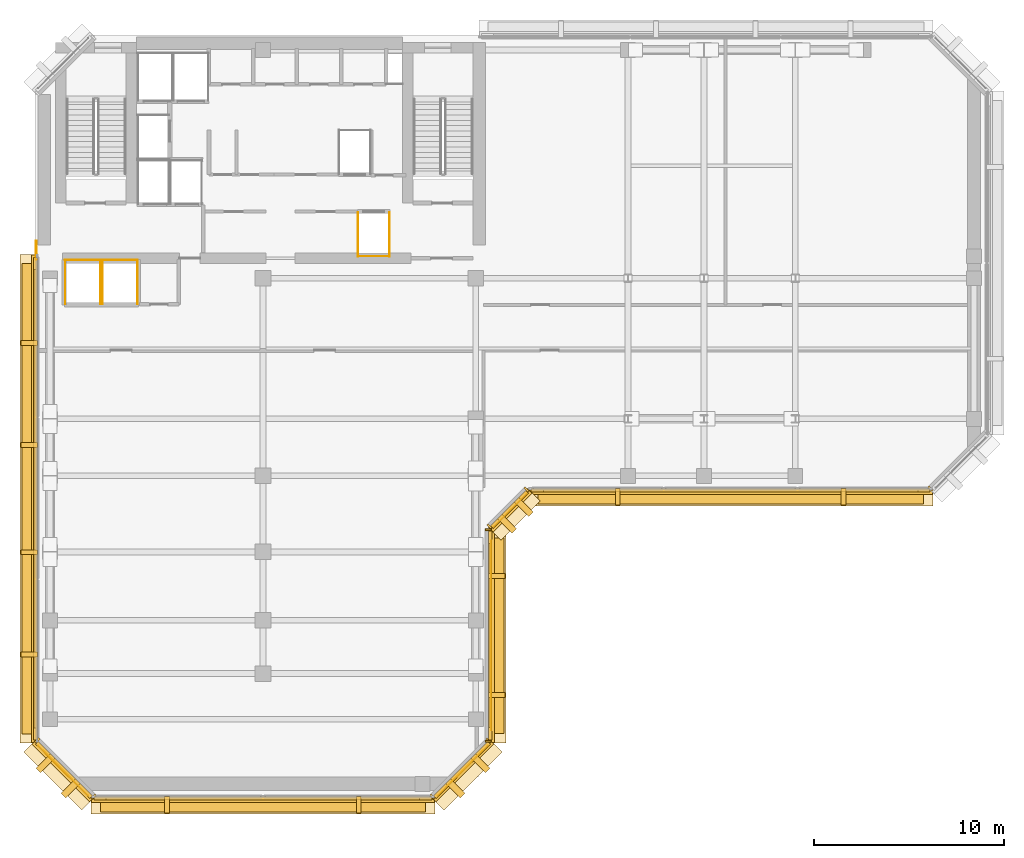
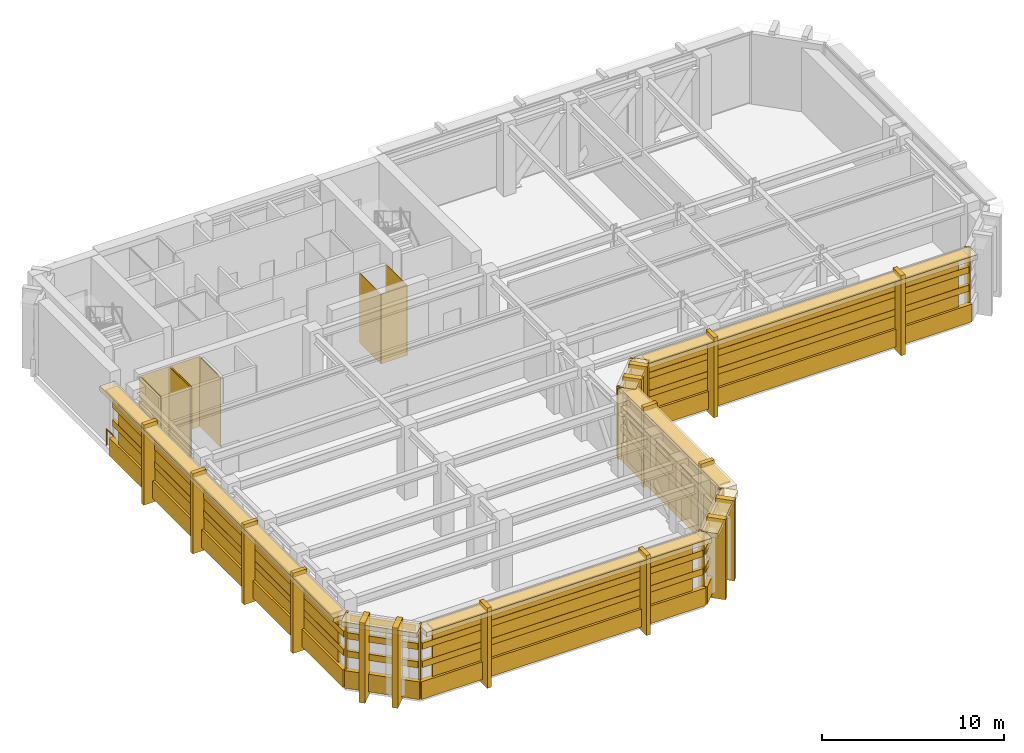
# One storey, part 8 of 11: 66 coverings, 8 shading devices, 1 railing.
"""IFC4 building model written with IfcOpenShell, lengths in metres."""

from ifc_helpers import new_model, si_unit, direction, frame, origin, origin_2d, place, context, subcontext, project, spatial, polyline, rectangle, circle, outline, extrude, material, layer, layer_set, type_object, element, save


model = new_model("IFC4")

# Units and contexts
model_context = context("Model", 3, precision=1e-05, world=origin(), true_north=direction((0.0, 1.0)))
body_context = subcontext(model_context, "Body", "Model", "MODEL_VIEW")
ifc_project = project(units=[si_unit("LENGTHUNIT", "METRE"), si_unit("AREAUNIT", "SQUARE_METRE"), si_unit("VOLUMEUNIT", "CUBIC_METRE"), si_unit("PLANEANGLEUNIT", "RADIAN"), si_unit("MASSUNIT", "GRAM", prefix="KILO")], contexts=[model_context])

# Site, building, storey
site_placement = place(None, origin())
site = spatial("IfcSite", under=ifc_project, at=site_placement, CompositionType="ELEMENT")
building_placement = place(site_placement, origin())
building = spatial("IfcBuilding", under=site, at=building_placement, Name="Kefirva Bronze Tower", CompositionType="ELEMENT")
storey_placement = place(building_placement, frame((0.0, 0.0, 251.4599609375)))
storey = spatial("IfcBuildingStorey", under=building, at=storey_placement, Name="L61", CompositionType="ELEMENT", Elevation=251.4599609375)

# Coverings
ifc_material_1 = material(Name="Bronze anodised aluminium", Category="aluminium")
ifc_layer_1 = layer(ifc_material_1, 0.02001953125, Name="Bronze anodised aluminium")
ifc_layer_set_1 = layer_set([ifc_layer_1], Name="Bronze anodised aluminium")
covering_type_1 = type_object("IfcCoveringType", Name="Anodised Bronze Spandrel Cladding 20mm", PredefinedType="CLADDING", material=ifc_layer_set_1)
covering_1_placement = place(storey_placement, frame((12.0, 5.760009765625, -0.16015625), z_axis=(0.0, 0.0, 1.0), x_axis=(1.0, 0.0, 0.0)))
element("IfcCovering", 1, at=covering_1_placement, inside=storey, type_object=covering_type_1, Name="L61 Streamline Horizontal Spandrel Band 0", PredefinedType="CLADDING", context=body_context, shape_type="SweptSolid", body=[
    extrude(rectangle(XDim=18.0400390625, YDim=0.280029296875, at=origin_2d()), origin(), (0.0, 0.0, 1.0), 1.179931640625),
])
for number, where, z_axis, x_axis, name in (
    (2, (12.0, 5.840087890625, 1.858154296875), (0.0, 0.0, 1.0), (1.0, 0.0, 0.0), "L61 Recessed Zone-Break Bronze Louvre Band 0-1"),
    (3, (12.0, 5.840087890625, 3.080078125), (0.0, 0.0, 1.0), (1.0, 0.0, 0.0), "L61 Recessed Zone-Break Bronze Louvre Band 0-2"),
):
    element("IfcCovering", number, at=place(storey_placement, frame(where, z_axis=z_axis, x_axis=x_axis)), inside=storey, type_object=covering_type_1, Name=name, PredefinedType="CLADDING", context=body_context, shape_type="SweptSolid", body=[
        extrude(rectangle(XDim=17.800048828125, YDim=0.199951171875, at=origin_2d()), origin(), (0.0, 0.0, 1.0), 0.419921875),
    ])
covering_2_placement = place(storey_placement, frame((22.507080078125, 7.29296875, 4.280029296875), z_axis=(0.0, 0.0, 1.0), x_axis=(0.707106781187, 0.707106781187, 0.0)))
element("IfcCovering", 4, at=covering_2_placement, inside=storey, type_object=covering_type_1, Name="L61 Bronze Spandrel Cladding 1", PredefinedType="CLADDING", context=body_context, shape_type="SweptSolid", body=[
    extrude(rectangle(XDim=3.719482421875, YDim=0.02001953125, at=origin_2d()), origin(), (0.0, 0.0, 1.0), 0.39990234375),
])
for number, where, z_axis, x_axis, name in (
    (5, (20.91162109375, 5.93798828125, 0.0), (0.0, 0.0, 1.0), (0.707106781187, 0.707106781187, 0.0), "L61 Facade Joint Closure Panel 1S"),
    (6, (23.862060546875, 8.88818359375, 0.0), (0.0, 0.0, 1.0), (0.707106781187, 0.707106781187, 0.0), "L61 Facade Joint Closure Panel 1E"),
):
    element("IfcCovering", number, at=place(storey_placement, frame(where, z_axis=z_axis, x_axis=x_axis)), inside=storey, type_object=covering_type_1, Name=name, PredefinedType="CLADDING", context=body_context, shape_type="SweptSolid", body=[
        extrude(rectangle(XDim=0.10009765625, YDim=0.320068359375, at=origin_2d()), origin(), (0.0, 0.0, 1.0), 4.699951171875),
    ])
covering_3_placement = place(storey_placement, frame((22.5283203125, 7.271728515625, -0.16015625), z_axis=(0.0, 0.0, 1.0), x_axis=(0.707106781187, 0.707106781187, 0.0)))
element("IfcCovering", 7, at=covering_3_placement, inside=storey, type_object=covering_type_1, Name="L61 Streamline Horizontal Spandrel Band 1", PredefinedType="CLADDING", context=body_context, shape_type="SweptSolid", body=[
    extrude(rectangle(XDim=4.28271484375, YDim=0.280029296875, at=origin_2d()), origin(), (0.0, 0.0, 1.0), 1.179931640625),
])
for number, where, z_axis, x_axis, name in (
    (8, (22.4716796875, 7.328369140625, 1.858154296875), (0.0, 0.0, 1.0), (0.707106781187, 0.707106781187, 0.0), "L61 Recessed Zone-Break Bronze Louvre Band 1-1"),
    (9, (22.4716796875, 7.328369140625, 3.080078125), (0.0, 0.0, 1.0), (0.707106781187, 0.707106781187, 0.0), "L61 Recessed Zone-Break Bronze Louvre Band 1-2"),
):
    element("IfcCovering", number, at=place(storey_placement, frame(where, z_axis=z_axis, x_axis=x_axis)), inside=storey, type_object=covering_type_1, Name=name, PredefinedType="CLADDING", context=body_context, shape_type="SweptSolid", body=[
        extrude(rectangle(XDim=4.04248046875, YDim=0.199951171875, at=origin_2d()), origin(), (0.0, 0.0, 1.0), 0.419921875),
    ])
covering_4_placement = place(storey_placement, frame((24.010009765625, 14.39990234375, 4.280029296875), z_axis=(0.0, 0.0, 1.0), x_axis=(0.0, 1.0, 0.0)))
element("IfcCovering", 10, at=covering_4_placement, inside=storey, type_object=covering_type_1, Name="L61 Bronze Spandrel Cladding 2", PredefinedType="CLADDING", context=body_context, shape_type="SweptSolid", body=[
    extrude(rectangle(XDim=9.98095703125, YDim=0.02001953125, at=origin_2d()), origin(), (0.0, 0.0, 1.0), 0.39990234375),
])
for number, where, z_axis, x_axis, name in (
    (11, (23.840087890625, 8.8349609375, 0.0), (0.0, 0.0, 1.0), (0.0, 1.0, 0.0), "L61 Facade Joint Closure Panel 2S"),
    (12, (23.840087890625, 19.965087890625, 0.0), (0.0, 0.0, 1.0), (0.0, 1.0, 0.0), "L61 Facade Joint Closure Panel 2E"),
):
    element("IfcCovering", number, at=place(storey_placement, frame(where, z_axis=z_axis, x_axis=x_axis)), inside=storey, type_object=covering_type_1, Name=name, PredefinedType="CLADDING", context=body_context, shape_type="SweptSolid", body=[
        extrude(rectangle(XDim=0.10009765625, YDim=0.320068359375, at=origin_2d()), origin(), (0.0, 0.0, 1.0), 4.699951171875),
    ])
covering_5_placement = place(storey_placement, frame((24.0400390625, 14.39990234375, -0.16015625), z_axis=(0.0, 0.0, 1.0), x_axis=(0.0, 1.0, 0.0)))
element("IfcCovering", 13, at=covering_5_placement, inside=storey, type_object=covering_type_1, Name="L61 Streamline Horizontal Spandrel Band 2", PredefinedType="CLADDING", context=body_context, shape_type="SweptSolid", body=[
    extrude(rectangle(XDim=11.239990234375, YDim=0.280029296875, at=origin_2d()), origin(), (0.0, 0.0, 1.0), 1.179931640625),
])
for number, where, z_axis, x_axis, name in (
    (14, (23.9599609375, 14.39990234375, 1.858154296875), (0.0, 0.0, 1.0), (0.0, 1.0, 0.0), "L61 Recessed Zone-Break Bronze Louvre Band 2-1"),
    (15, (23.9599609375, 14.39990234375, 3.080078125), (0.0, 0.0, 1.0), (0.0, 1.0, 0.0), "L61 Recessed Zone-Break Bronze Louvre Band 2-2"),
):
    element("IfcCovering", number, at=place(storey_placement, frame(where, z_axis=z_axis, x_axis=x_axis)), inside=storey, type_object=covering_type_1, Name=name, PredefinedType="CLADDING", context=body_context, shape_type="SweptSolid", body=[
        extrude(rectangle(XDim=11.0, YDim=0.199951171875, at=origin_2d()), origin(), (0.0, 0.0, 1.0), 0.419921875),
    ])
covering_6_placement = place(storey_placement, frame((25.007080078125, 20.992919921875, 4.280029296875), z_axis=(0.0, 0.0, 1.0), x_axis=(0.707106781187, 0.707106781187, 0.0)))
element("IfcCovering", 16, at=covering_6_placement, inside=storey, type_object=covering_type_1, Name="L61 Bronze Spandrel Cladding 3", PredefinedType="CLADDING", context=body_context, shape_type="SweptSolid", body=[
    extrude(rectangle(XDim=2.446533203125, YDim=0.02001953125, at=origin_2d()), origin(), (0.0, 0.0, 1.0), 0.39990234375),
])
for number, where, z_axis, x_axis, name in (
    (17, (23.91162109375, 20.137939453125, 0.0), (0.0, 0.0, 1.0), (0.707106781187, 0.707106781187, 0.0), "L61 Facade Joint Closure Panel 3S"),
    (18, (25.862060546875, 22.08837890625, 0.0), (0.0, 0.0, 1.0), (0.707106781187, 0.707106781187, 0.0), "L61 Facade Joint Closure Panel 3E"),
):
    element("IfcCovering", number, at=place(storey_placement, frame(where, z_axis=z_axis, x_axis=x_axis)), inside=storey, type_object=covering_type_1, Name=name, PredefinedType="CLADDING", context=body_context, shape_type="SweptSolid", body=[
        extrude(rectangle(XDim=0.10009765625, YDim=0.320068359375, at=origin_2d()), origin(), (0.0, 0.0, 1.0), 4.699951171875),
    ])
covering_7_placement = place(storey_placement, frame((25.0283203125, 20.9716796875, -0.16015625), z_axis=(0.0, 0.0, 1.0), x_axis=(0.707106781187, 0.707106781187, 0.0)))
element("IfcCovering", 19, at=covering_7_placement, inside=storey, type_object=covering_type_1, Name="L61 Streamline Horizontal Spandrel Band 3", PredefinedType="CLADDING", context=body_context, shape_type="SweptSolid", body=[
    extrude(rectangle(XDim=2.868408203125, YDim=0.280029296875, at=origin_2d()), origin(), (0.0, 0.0, 1.0), 1.179931640625),
])
for number, where, z_axis, x_axis, name in (
    (20, (24.9716796875, 21.0283203125, 1.858154296875), (0.0, 0.0, 1.0), (0.707106781187, 0.707106781187, 0.0), "L61 Recessed Zone-Break Bronze Louvre Band 3-1"),
    (21, (24.9716796875, 21.0283203125, 3.080078125), (0.0, 0.0, 1.0), (0.707106781187, 0.707106781187, 0.0), "L61 Recessed Zone-Break Bronze Louvre Band 3-2"),
):
    element("IfcCovering", number, at=place(storey_placement, frame(where, z_axis=z_axis, x_axis=x_axis)), inside=storey, type_object=covering_type_1, Name=name, PredefinedType="CLADDING", context=body_context, shape_type="SweptSolid", body=[
        extrude(rectangle(XDim=2.62841796875, YDim=0.199951171875, at=origin_2d()), origin(), (0.0, 0.0, 1.0), 0.419921875),
    ])
covering_8_placement = place(storey_placement, frame((36.60009765625, 21.9599609375, -0.16015625), z_axis=(0.0, 0.0, 1.0), x_axis=(1.0, 0.0, 0.0)))
element("IfcCovering", 22, at=covering_8_placement, inside=storey, type_object=covering_type_1, Name="L61 Streamline Horizontal Spandrel Band 4", PredefinedType="CLADDING", context=body_context, shape_type="SweptSolid", body=[
    extrude(rectangle(XDim=21.239990234375, YDim=0.280029296875, at=origin_2d()), origin(), (0.0, 0.0, 1.0), 1.179931640625),
])
for number, where, z_axis, x_axis, name in (
    (23, (36.60009765625, 22.0400390625, 1.858154296875), (0.0, 0.0, 1.0), (1.0, 0.0, 0.0), "L61 Recessed Zone-Break Bronze Louvre Band 4-1"),
    (24, (36.60009765625, 22.0400390625, 3.080078125), (0.0, 0.0, 1.0), (1.0, 0.0, 0.0), "L61 Recessed Zone-Break Bronze Louvre Band 4-2"),
):
    element("IfcCovering", number, at=place(storey_placement, frame(where, z_axis=z_axis, x_axis=x_axis)), inside=storey, type_object=covering_type_1, Name=name, PredefinedType="CLADDING", context=body_context, shape_type="SweptSolid", body=[
        extrude(rectangle(XDim=21.0, YDim=0.199951171875, at=origin_2d()), origin(), (0.0, 0.0, 1.0), 0.419921875),
    ])
covering_9_placement = place(storey_placement, frame((47.11181640625, 22.137939453125, 0.0), z_axis=(0.0, 0.0, 1.0), x_axis=(0.707106781187, 0.707106781187, 0.0)))
element("IfcCovering", 25, at=covering_9_placement, inside=storey, type_object=covering_type_1, Name="L61 Facade Joint Closure Panel 4S", PredefinedType="CLADDING", context=body_context, shape_type="SweptSolid", body=[
    extrude(rectangle(XDim=0.10009765625, YDim=0.320068359375, at=origin_2d()), origin(), (0.0, 0.0, 1.0), 4.699951171875),
])
covering_10_placement = place(storey_placement, frame((-0.0400390625, 21.597412109375, -0.16015625), z_axis=(0.0, 0.0, 1.0), x_axis=(0.0, -1.0, 0.0)))
element("IfcCovering", 26, at=covering_10_placement, inside=storey, type_object=covering_type_1, Name="L61 Streamline Horizontal Spandrel Band 10", PredefinedType="CLADDING", context=body_context, shape_type="SweptSolid", body=[
    extrude(rectangle(XDim=25.635009765625, YDim=0.280029296875, at=origin_2d()), origin(), (0.0, 0.0, 1.0), 1.179931640625),
])
for number, where, z_axis, x_axis, name in (
    (27, (0.0400390625, 21.597412109375, 1.858154296875), (0.0, 0.0, 1.0), (0.0, -1.0, 0.0), "L61 Recessed Zone-Break Bronze Louvre Band 10-1"),
    (28, (0.0400390625, 21.597412109375, 3.080078125), (0.0, 0.0, 1.0), (0.0, -1.0, 0.0), "L61 Recessed Zone-Break Bronze Louvre Band 10-2"),
):
    element("IfcCovering", number, at=place(storey_placement, frame(where, z_axis=z_axis, x_axis=x_axis)), inside=storey, type_object=covering_type_1, Name=name, PredefinedType="CLADDING", context=body_context, shape_type="SweptSolid", body=[
        extrude(rectangle(XDim=25.39501953125, YDim=0.199951171875, at=origin_2d()), origin(), (0.0, 0.0, 1.0), 0.419921875),
    ])
covering_11_placement = place(storey_placement, frame((1.492919921875, 7.29296875, 4.280029296875), z_axis=(0.0, 0.0, 1.0), x_axis=(0.707106781187, -0.707106781187, 0.0)))
element("IfcCovering", 29, at=covering_11_placement, inside=storey, type_object=covering_type_1, Name="L61 Bronze Spandrel Cladding 7", PredefinedType="CLADDING", context=body_context, shape_type="SweptSolid", body=[
    extrude(rectangle(XDim=3.719482421875, YDim=0.02001953125, at=origin_2d()), origin(), (0.0, 0.0, 1.0), 0.39990234375),
])
for number, where, z_axis, x_axis, name in (
    (30, (0.137939453125, 8.88818359375, 0.0), (0.0, 0.0, 1.0), (0.707106781187, -0.707106781187, 0.0), "L61 Facade Joint Closure Panel 7S"),
    (31, (3.08837890625, 5.93798828125, 0.0), (0.0, 0.0, 1.0), (0.707106781187, -0.707106781187, 0.0), "L61 Facade Joint Closure Panel 7E"),
):
    element("IfcCovering", number, at=place(storey_placement, frame(where, z_axis=z_axis, x_axis=x_axis)), inside=storey, type_object=covering_type_1, Name=name, PredefinedType="CLADDING", context=body_context, shape_type="SweptSolid", body=[
        extrude(rectangle(XDim=0.10009765625, YDim=0.320068359375, at=origin_2d()), origin(), (0.0, 0.0, 1.0), 4.699951171875),
    ])
covering_12_placement = place(storey_placement, frame((1.4716796875, 7.271728515625, -0.16015625), z_axis=(0.0, 0.0, 1.0), x_axis=(0.707106781187, -0.707106781187, 0.0)))
element("IfcCovering", 32, at=covering_12_placement, inside=storey, type_object=covering_type_1, Name="L61 Streamline Horizontal Spandrel Band 11", PredefinedType="CLADDING", context=body_context, shape_type="SweptSolid", body=[
    extrude(rectangle(XDim=4.28271484375, YDim=0.280029296875, at=origin_2d()), origin(), (0.0, 0.0, 1.0), 1.179931640625),
])
for number, where, z_axis, x_axis, name in (
    (33, (1.5283203125, 7.328369140625, 1.858154296875), (0.0, 0.0, 1.0), (0.707106781187, -0.707106781187, 0.0), "L61 Recessed Zone-Break Bronze Louvre Band 11-1"),
    (34, (1.5283203125, 7.328369140625, 3.080078125), (0.0, 0.0, 1.0), (0.707106781187, -0.707106781187, 0.0), "L61 Recessed Zone-Break Bronze Louvre Band 11-2"),
):
    element("IfcCovering", number, at=place(storey_placement, frame(where, z_axis=z_axis, x_axis=x_axis)), inside=storey, type_object=covering_type_1, Name=name, PredefinedType="CLADDING", context=body_context, shape_type="SweptSolid", body=[
        extrude(rectangle(XDim=4.04248046875, YDim=0.199951171875, at=origin_2d()), origin(), (0.0, 0.0, 1.0), 0.419921875),
    ])
covering_13_placement = place(storey_placement, origin())
element("IfcCovering", 35, at=covering_13_placement, inside=storey, type_object=covering_type_1, Name="L61 Lift OB1 Hoistway Liner N", PredefinedType="CLADDING", context=body_context, shape_type="SweptSolid", body=[
    extrude(outline(polyline([(1.580078125, 34.139892578125), (3.469970703125, 34.139892578125), (3.469970703125, 34.159912109375), (1.580078125, 34.159912109375), (1.580078125, 34.139892578125)])), origin(), (0.0, 0.0, 1.0), 4.699951171875),
])
covering_14_placement = place(storey_placement, origin())
element("IfcCovering", 36, at=covering_14_placement, inside=storey, type_object=covering_type_1, Name="L61 Lift OB1 Hoistway Liner W", PredefinedType="CLADDING", context=body_context, shape_type="SweptSolid", body=[
    extrude(outline(polyline([(1.590087890625, 31.830078125), (1.610107421875, 31.830078125), (1.610107421875, 34.169921875), (1.590087890625, 34.169921875), (1.590087890625, 31.830078125)])), origin(), (0.0, 0.0, 1.0), 4.699951171875),
])
covering_15_placement = place(storey_placement, origin())
element("IfcCovering", 37, at=covering_15_placement, inside=storey, type_object=covering_type_1, Name="L61 Lift OB1 Hoistway Liner E", PredefinedType="CLADDING", context=body_context, shape_type="SweptSolid", body=[
    extrude(outline(polyline([(3.43994140625, 31.830078125), (3.4599609375, 31.830078125), (3.4599609375, 34.169921875), (3.43994140625, 34.169921875), (3.43994140625, 31.830078125)])), origin(), (0.0, 0.0, 1.0), 4.699951171875),
])
covering_16_placement = place(storey_placement, origin())
element("IfcCovering", 38, at=covering_16_placement, inside=storey, type_object=covering_type_1, Name="L61 Lift OB2 Hoistway Liner N", PredefinedType="CLADDING", context=body_context, shape_type="SweptSolid", body=[
    extrude(outline(polyline([(3.530029296875, 34.139892578125), (5.419921875, 34.139892578125), (5.419921875, 34.159912109375), (3.530029296875, 34.159912109375), (3.530029296875, 34.139892578125)])), origin(), (0.0, 0.0, 1.0), 4.699951171875),
])
covering_17_placement = place(storey_placement, origin())
element("IfcCovering", 39, at=covering_17_placement, inside=storey, type_object=covering_type_1, Name="L61 Lift OB2 Hoistway Liner W", PredefinedType="CLADDING", context=body_context, shape_type="SweptSolid", body=[
    extrude(outline(polyline([(3.5400390625, 31.830078125), (3.56005859375, 31.830078125), (3.56005859375, 34.169921875), (3.5400390625, 34.169921875), (3.5400390625, 31.830078125)])), origin(), (0.0, 0.0, 1.0), 4.699951171875),
])
covering_18_placement = place(storey_placement, origin())
element("IfcCovering", 40, at=covering_18_placement, inside=storey, type_object=covering_type_1, Name="L61 Lift OB2 Hoistway Liner E", PredefinedType="CLADDING", context=body_context, shape_type="SweptSolid", body=[
    extrude(outline(polyline([(5.389892578125, 31.830078125), (5.409912109375, 31.830078125), (5.409912109375, 34.169921875), (5.389892578125, 34.169921875), (5.389892578125, 31.830078125)])), origin(), (0.0, 0.0, 1.0), 4.699951171875),
])
covering_19_placement = place(storey_placement, origin())
element("IfcCovering", 41, at=covering_19_placement, inside=storey, type_object=covering_type_1, Name="L61 Lift HP1 Hoistway Liner S", PredefinedType="CLADDING", context=body_context, shape_type="SweptSolid", body=[
    extrude(outline(polyline([(16.97998046875, 34.340087890625), (18.669921875, 34.340087890625), (18.669921875, 34.360107421875), (16.97998046875, 34.360107421875), (16.97998046875, 34.340087890625)])), origin(), (0.0, 0.0, 1.0), 4.699951171875),
])
covering_20_placement = place(storey_placement, origin())
element("IfcCovering", 42, at=covering_20_placement, inside=storey, type_object=covering_type_1, Name="L61 Lift HP1 Hoistway Liner W", PredefinedType="CLADDING", context=body_context, shape_type="SweptSolid", body=[
    extrude(outline(polyline([(16.989990234375, 34.330078125), (17.010009765625, 34.330078125), (17.010009765625, 36.669921875), (16.989990234375, 36.669921875), (16.989990234375, 34.330078125)])), origin(), (0.0, 0.0, 1.0), 4.699951171875),
])
covering_21_placement = place(storey_placement, origin())
element("IfcCovering", 43, at=covering_21_placement, inside=storey, type_object=covering_type_1, Name="L61 Lift HP1 Hoistway Liner E", PredefinedType="CLADDING", context=body_context, shape_type="SweptSolid", body=[
    extrude(outline(polyline([(18.639892578125, 34.330078125), (18.659912109375, 34.330078125), (18.659912109375, 36.669921875), (18.639892578125, 36.669921875), (18.639892578125, 34.330078125)])), origin(), (0.0, 0.0, 1.0), 4.699951171875),
])

# Shading devices
ifc_layer_2 = layer(ifc_material_1, 0.090087890625, Name="Bronze anodised aluminium")
ifc_layer_set_2 = layer_set([ifc_layer_2], Name="Bronze anodised aluminium")
shading_device_type_1 = type_object("IfcShadingDeviceType", Name="Horizontal Bronze Sunshade Band 750mm", PredefinedType="JALOUSIE", material=ifc_layer_set_2)
shading_device_1_placement = place(storey_placement, frame((12.0, 5.5048828125, 4.59521484375), z_axis=(0.0, 0.0, 1.0), x_axis=(1.0, 0.0, 0.0)))
element("IfcShadingDevice", 44, at=shading_device_1_placement, inside=storey, type_object=shading_device_type_1, Name="L61 Horizontal Bronze Sunshade Band 0", PredefinedType="JALOUSIE", context=body_context, shape_type="SweptSolid", body=[
    extrude(rectangle(XDim=17.090087890625, YDim=0.75, at=origin_2d()), origin(), (0.0, 0.0, 1.0), 0.090087890625),
])
shading_device_2_placement = place(storey_placement, frame((24.294921875, 14.39990234375, 4.59521484375), z_axis=(0.0, 0.0, 1.0), x_axis=(0.0, 1.0, 0.0)))
element("IfcShadingDevice", 45, at=shading_device_2_placement, inside=storey, type_object=shading_device_type_1, Name="L61 Horizontal Bronze Sunshade Band 2", PredefinedType="JALOUSIE", context=body_context, shape_type="SweptSolid", body=[
    extrude(rectangle(XDim=10.2900390625, YDim=0.75, at=origin_2d()), origin(), (0.0, 0.0, 1.0), 0.090087890625),
])
shading_device_3_placement = place(storey_placement, frame((36.60009765625, 21.705078125, 4.59521484375), z_axis=(0.0, 0.0, 1.0), x_axis=(1.0, 0.0, 0.0)))
element("IfcShadingDevice", 46, at=shading_device_3_placement, inside=storey, type_object=shading_device_type_1, Name="L61 Horizontal Bronze Sunshade Band 4", PredefinedType="JALOUSIE", context=body_context, shape_type="SweptSolid", body=[
    extrude(rectangle(XDim=20.2900390625, YDim=0.75, at=origin_2d()), origin(), (0.0, 0.0, 1.0), 0.090087890625),
])
shading_device_4_placement = place(storey_placement, frame((-0.294921875, 21.597412109375, 4.59521484375), z_axis=(0.0, 0.0, 1.0), x_axis=(0.0, -1.0, 0.0)))
element("IfcShadingDevice", 47, at=shading_device_4_placement, inside=storey, type_object=shading_device_type_1, Name="L61 Horizontal Bronze Sunshade Band 10", PredefinedType="JALOUSIE", context=body_context, shape_type="SweptSolid", body=[
    extrude(rectangle(XDim=24.739990234375, YDim=0.75, at=origin_2d()), origin(), (0.0, 0.0, 1.0), 0.090087890625),
])

# Railing
ifc_material_2 = material(Name="Stainless steel 316", Category="steel")
railing_type = type_object("IfcRailingType", Name="Interior Stair Guardrail 1100mm", PredefinedType="GUARDRAIL", material=ifc_material_2)
railing_placement = place(storey_placement, frame((0.080078125, 34.199951171875, 0.0)))
element("IfcRailing", 48, at=railing_placement, inside=storey, type_object=railing_type, Name="L61 West Core Junction Guardrail", PredefinedType="GUARDRAIL", context=body_context, shape_type="SweptSolid", body=[
    extrude(circle(Radius=0.02392578125, at=origin_2d()), frame((0.0, 0.0, 1.076171875), z_axis=(0.0, 1.0, 0.0), x_axis=(-1.0, 0.0, 0.0)), (0.0, 0.0, 1.0), 0.949951171875),
    extrude(circle(Radius=0.02099609375, at=origin_2d()), origin(), (0.0, 0.0, 1.0), 1.052001953125),
    extrude(circle(Radius=0.02099609375, at=origin_2d()), frame((0.0, 0.949951171875, 0.0)), (0.0, 0.0, 1.0), 1.052001953125),
])

# Shading devices
ifc_layer_3 = layer(ifc_material_1, 0.159912109375, Name="Bronze anodised aluminium")
ifc_layer_set_3 = layer_set([ifc_layer_3], Name="Bronze anodised aluminium")
shading_device_type_2 = type_object("IfcShadingDeviceType", Name="Recessed Zone-Break Acoustic Louvre Screen", PredefinedType="SHUTTER", material=ifc_layer_set_3)
shading_device_5_placement = place(storey_placement, frame((12.0, 5.840087890625, 0.25), z_axis=(0.0, 0.0, 1.0), x_axis=(1.0, 0.0, 0.0)))
element("IfcShadingDevice", 49, at=shading_device_5_placement, inside=storey, type_object=shading_device_type_2, Name="L61 Acoustic Plant Louvre Screen 0", PredefinedType="SHUTTER", context=body_context, shape_type="SweptSolid", body=[
    extrude(rectangle(XDim=16.489990234375, YDim=0.159912109375, at=origin_2d()), origin(), (0.0, 0.0, 1.0), 4.199951171875),
])
shading_device_6_placement = place(storey_placement, frame((23.9599609375, 14.39990234375, 0.25), z_axis=(0.0, 0.0, 1.0), x_axis=(0.0, 1.0, 0.0)))
element("IfcShadingDevice", 50, at=shading_device_6_placement, inside=storey, type_object=shading_device_type_2, Name="L61 Acoustic Plant Louvre Screen 2", PredefinedType="SHUTTER", context=body_context, shape_type="SweptSolid", body=[
    extrude(rectangle(XDim=9.68994140625, YDim=0.159912109375, at=origin_2d()), origin(), (0.0, 0.0, 1.0), 4.199951171875),
])
shading_device_7_placement = place(storey_placement, frame((36.60009765625, 22.0400390625, 0.25), z_axis=(0.0, 0.0, 1.0), x_axis=(1.0, 0.0, 0.0)))
element("IfcShadingDevice", 51, at=shading_device_7_placement, inside=storey, type_object=shading_device_type_2, Name="L61 Acoustic Plant Louvre Screen 4", PredefinedType="SHUTTER", context=body_context, shape_type="SweptSolid", body=[
    extrude(rectangle(XDim=19.68994140625, YDim=0.159912109375, at=origin_2d()), origin(), (0.0, 0.0, 1.0), 4.199951171875),
])
shading_device_8_placement = place(storey_placement, frame((0.0400390625, 21.597412109375, 0.25), z_axis=(0.0, 0.0, 1.0), x_axis=(0.0, -1.0, 0.0)))
element("IfcShadingDevice", 52, at=shading_device_8_placement, inside=storey, type_object=shading_device_type_2, Name="L61 Acoustic Plant Louvre Screen 10", PredefinedType="SHUTTER", context=body_context, shape_type="SweptSolid", body=[
    extrude(rectangle(XDim=24.139892578125, YDim=0.159912109375, at=origin_2d()), origin(), (0.0, 0.0, 1.0), 4.199951171875),
])

# Coverings
ifc_layer_4 = layer(ifc_material_1, 0.179931640625, Name="Bronze anodised aluminium")
ifc_layer_set_4 = layer_set([ifc_layer_4], Name="Bronze anodised aluminium")
covering_type_2 = type_object("IfcCoveringType", Name="Streamline Bronze Sunshade Eyebrow Cladding 180mm", PredefinedType="CLADDING", material=ifc_layer_set_4)
covering_22_placement = place(storey_placement, frame((12.0, 5.489990234375, 4.3798828125), z_axis=(0.0, 0.0, 1.0), x_axis=(1.0, 0.0, 0.0)))
element("IfcCovering", 53, at=covering_22_placement, inside=storey, type_object=covering_type_2, Name="L61 Streamline Bronze Sunshade Eyebrow 0", PredefinedType="CLADDING", context=body_context, shape_type="SweptSolid", body=[
    extrude(rectangle(XDim=18.080078125, YDim=0.93994140625, at=origin_2d()), origin(), (0.0, 0.0, 1.0), 0.320068359375),
])
covering_23_placement = place(storey_placement, frame((22.71923828125, 7.080810546875, 4.3798828125), z_axis=(0.0, 0.0, 1.0), x_axis=(0.707106781187, 0.707106781187, 0.0)))
element("IfcCovering", 54, at=covering_23_placement, inside=storey, type_object=covering_type_2, Name="L61 Streamline Bronze Sunshade Eyebrow 1", PredefinedType="CLADDING", context=body_context, shape_type="SweptSolid", body=[
    extrude(rectangle(XDim=4.322509765625, YDim=0.93994140625, at=origin_2d()), origin(), (0.0, 0.0, 1.0), 0.320068359375),
])
covering_24_placement = place(storey_placement, frame((24.31005859375, 14.39990234375, 4.3798828125), z_axis=(0.0, 0.0, 1.0), x_axis=(0.0, 1.0, 0.0)))
element("IfcCovering", 55, at=covering_24_placement, inside=storey, type_object=covering_type_2, Name="L61 Streamline Bronze Sunshade Eyebrow 2", PredefinedType="CLADDING", context=body_context, shape_type="SweptSolid", body=[
    extrude(rectangle(XDim=11.280029296875, YDim=0.93994140625, at=origin_2d()), origin(), (0.0, 0.0, 1.0), 0.320068359375),
])
covering_25_placement = place(storey_placement, frame((25.21923828125, 20.78076171875, 4.3798828125), z_axis=(0.0, 0.0, 1.0), x_axis=(0.707106781187, 0.707106781187, 0.0)))
element("IfcCovering", 56, at=covering_25_placement, inside=storey, type_object=covering_type_2, Name="L61 Streamline Bronze Sunshade Eyebrow 3", PredefinedType="CLADDING", context=body_context, shape_type="SweptSolid", body=[
    extrude(rectangle(XDim=2.908447265625, YDim=0.93994140625, at=origin_2d()), origin(), (0.0, 0.0, 1.0), 0.320068359375),
])
covering_26_placement = place(storey_placement, frame((36.60009765625, 21.68994140625, 4.3798828125), z_axis=(0.0, 0.0, 1.0), x_axis=(1.0, 0.0, 0.0)))
element("IfcCovering", 57, at=covering_26_placement, inside=storey, type_object=covering_type_2, Name="L61 Streamline Bronze Sunshade Eyebrow 4", PredefinedType="CLADDING", context=body_context, shape_type="SweptSolid", body=[
    extrude(rectangle(XDim=21.280029296875, YDim=0.93994140625, at=origin_2d()), origin(), (0.0, 0.0, 1.0), 0.320068359375),
])
covering_27_placement = place(storey_placement, frame((-0.31005859375, 21.597412109375, 4.3798828125), z_axis=(0.0, 0.0, 1.0), x_axis=(0.0, -1.0, 0.0)))
element("IfcCovering", 58, at=covering_27_placement, inside=storey, type_object=covering_type_2, Name="L61 Streamline Bronze Sunshade Eyebrow 10", PredefinedType="CLADDING", context=body_context, shape_type="SweptSolid", body=[
    extrude(rectangle(XDim=25.675048828125, YDim=0.93994140625, at=origin_2d()), origin(), (0.0, 0.0, 1.0), 0.320068359375),
])
covering_28_placement = place(storey_placement, frame((1.28076171875, 7.080810546875, 4.3798828125), z_axis=(0.0, 0.0, 1.0), x_axis=(0.707106781187, -0.707106781187, 0.0)))
element("IfcCovering", 59, at=covering_28_placement, inside=storey, type_object=covering_type_2, Name="L61 Streamline Bronze Sunshade Eyebrow 11", PredefinedType="CLADDING", context=body_context, shape_type="SweptSolid", body=[
    extrude(rectangle(XDim=4.322509765625, YDim=0.93994140625, at=origin_2d()), origin(), (0.0, 0.0, 1.0), 0.320068359375),
])
ifc_layer_5 = layer(ifc_material_1, 0.260009765625, Name="Bronze anodised aluminium")
ifc_layer_set_5 = layer_set([ifc_layer_5], Name="Bronze anodised aluminium")
covering_type_3 = type_object("IfcCoveringType", Name="Unbroken Bronze Buttress Fin Cladding 260mm", PredefinedType="CLADDING", material=ifc_layer_set_5)
for number, where, z_axis, x_axis, name in (
    (60, (6.9599609375, 5.5, -0.419921875), (0.0, 0.0, 1.0), (1.0, 0.0, 0.0), "L61 Unbroken Vertical Bronze Rib Fin 1"),
    (61, (17.0400390625, 5.5, -0.419921875), (0.0, 0.0, 1.0), (1.0, 0.0, 0.0), "L61 Unbroken Vertical Bronze Rib Fin 2"),
):
    element("IfcCovering", number, at=place(storey_placement, frame(where, z_axis=z_axis, x_axis=x_axis)), inside=storey, type_object=covering_type_3, Name=name, PredefinedType="CLADDING", context=body_context, shape_type="SweptSolid", body=[
        extrude(rectangle(XDim=0.260009765625, YDim=0.8798828125, at=origin_2d()), origin(), (0.0, 0.0, 1.0), 5.3701171875),
    ])
for number, where, z_axis, x_axis, name in (
    (62, (22.122802734375, 6.357177734375, -0.419921875), (0.0, 0.0, 1.0), (0.707106781187, 0.707106781187, 0.0), "L61 Chamfered Corner Buttress Fin Cladding 3"),
    (63, (23.44287109375, 7.67724609375, -0.419921875), (0.0, 0.0, 1.0), (0.707106781187, 0.707106781187, 0.0), "L61 Chamfered Corner Buttress Fin Cladding 4"),
):
    element("IfcCovering", number, at=place(storey_placement, frame(where, z_axis=z_axis, x_axis=x_axis)), inside=storey, type_object=covering_type_3, Name=name, PredefinedType="CLADDING", context=body_context, shape_type="SweptSolid", body=[
        extrude(rectangle(XDim=0.340087890625, YDim=1.080078125, at=origin_2d()), origin(), (0.0, 0.0, 1.0), 5.3701171875),
    ])
for number, where, z_axis, x_axis, name in (
    (64, (24.300048828125, 11.263916015625, -0.419921875), (0.0, 0.0, 1.0), (0.0, 1.0, 0.0), "L61 Unbroken Vertical Bronze Rib Fin 5"),
    (65, (24.300048828125, 17.535888671875, -0.419921875), (0.0, 0.0, 1.0), (0.0, 1.0, 0.0), "L61 Unbroken Vertical Bronze Rib Fin 6"),
):
    element("IfcCovering", number, at=place(storey_placement, frame(where, z_axis=z_axis, x_axis=x_axis)), inside=storey, type_object=covering_type_3, Name=name, PredefinedType="CLADDING", context=body_context, shape_type="SweptSolid", body=[
        extrude(rectangle(XDim=0.260009765625, YDim=0.8798828125, at=origin_2d()), origin(), (0.0, 0.0, 1.0), 5.3701171875),
    ])
for number, where, z_axis, x_axis, name in (
    (66, (24.8427734375, 20.277099609375, -0.419921875), (0.0, 0.0, 1.0), (0.707106781187, 0.707106781187, 0.0), "L61 Chamfered Corner Buttress Fin Cladding 7"),
    (67, (25.722900390625, 21.1572265625, -0.419921875), (0.0, 0.0, 1.0), (0.707106781187, 0.707106781187, 0.0), "L61 Chamfered Corner Buttress Fin Cladding 8"),
):
    element("IfcCovering", number, at=place(storey_placement, frame(where, z_axis=z_axis, x_axis=x_axis)), inside=storey, type_object=covering_type_3, Name=name, PredefinedType="CLADDING", context=body_context, shape_type="SweptSolid", body=[
        extrude(rectangle(XDim=0.340087890625, YDim=1.080078125, at=origin_2d()), origin(), (0.0, 0.0, 1.0), 5.3701171875),
    ])
for number, where, z_axis, x_axis, name in (
    (68, (30.6640625, 21.699951171875, -0.419921875), (0.0, 0.0, 1.0), (1.0, 0.0, 0.0), "L61 Unbroken Vertical Bronze Rib Fin 9"),
    (69, (42.535888671875, 21.699951171875, -0.419921875), (0.0, 0.0, 1.0), (1.0, 0.0, 0.0), "L61 Unbroken Vertical Bronze Rib Fin 10"),
    (70, (-0.300048828125, 29.787841796875, -0.419921875), (0.0, 0.0, 1.0), (0.0, -1.0, 0.0), "L61 Unbroken Vertical Bronze Rib Fin 23"),
    (71, (-0.300048828125, 24.4130859375, -0.419921875), (0.0, 0.0, 1.0), (0.0, -1.0, 0.0), "L61 Unbroken Vertical Bronze Rib Fin 24"),
    (72, (-0.300048828125, 18.781982421875, -0.419921875), (0.0, 0.0, 1.0), (0.0, -1.0, 0.0), "L61 Unbroken Vertical Bronze Rib Fin 25"),
    (73, (-0.300048828125, 13.406982421875, -0.419921875), (0.0, 0.0, 1.0), (0.0, -1.0, 0.0), "L61 Unbroken Vertical Bronze Rib Fin 26"),
):
    element("IfcCovering", number, at=place(storey_placement, frame(where, z_axis=z_axis, x_axis=x_axis)), inside=storey, type_object=covering_type_3, Name=name, PredefinedType="CLADDING", context=body_context, shape_type="SweptSolid", body=[
        extrude(rectangle(XDim=0.260009765625, YDim=0.8798828125, at=origin_2d()), origin(), (0.0, 0.0, 1.0), 5.3701171875),
    ])
for number, where, z_axis, x_axis, name in (
    (74, (0.55712890625, 7.67724609375, -0.419921875), (0.0, 0.0, 1.0), (0.707106781187, -0.707106781187, 0.0), "L61 Chamfered Corner Buttress Fin Cladding 27"),
    (75, (1.877197265625, 6.357177734375, -0.419921875), (0.0, 0.0, 1.0), (0.707106781187, -0.707106781187, 0.0), "L61 Chamfered Corner Buttress Fin Cladding 28"),
):
    element("IfcCovering", number, at=place(storey_placement, frame(where, z_axis=z_axis, x_axis=x_axis)), inside=storey, type_object=covering_type_3, Name=name, PredefinedType="CLADDING", context=body_context, shape_type="SweptSolid", body=[
        extrude(rectangle(XDim=0.340087890625, YDim=1.080078125, at=origin_2d()), origin(), (0.0, 0.0, 1.0), 5.3701171875),
    ])

save(model, "model.ifc")
